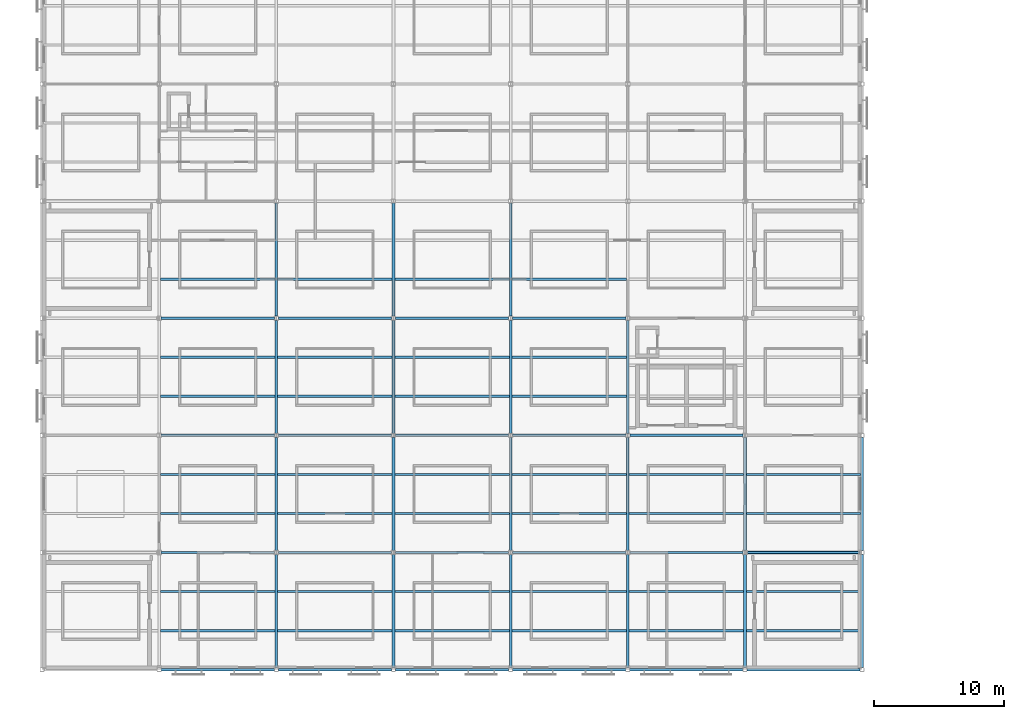
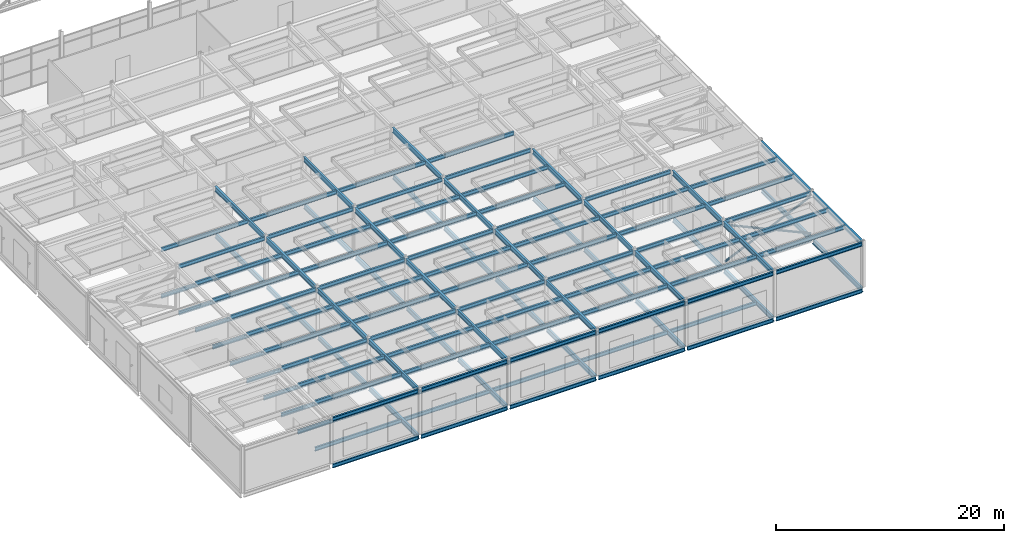
# One storey, part 23 of 115: 150 beams, 2 members.
"""IFC4 building model written with IfcOpenShell, lengths in metres."""

from ifc_helpers import new_model, si_unit, direction, frame, origin, origin_2d, place, context, subcontext, project, spatial, hollow_circle, i_section, extrude, material, material_profile, profile_set, type_object, element, save


model = new_model("IFC4")

# Units and contexts
model_context = context("Model", 3, precision=1e-05, world=origin(), true_north=direction((0.0, 1.0)))
body_context = subcontext(model_context, "Body", "Model", "MODEL_VIEW")
ifc_project = project(units=[si_unit("LENGTHUNIT", "METRE"), si_unit("AREAUNIT", "SQUARE_METRE"), si_unit("VOLUMEUNIT", "CUBIC_METRE"), si_unit("PLANEANGLEUNIT", "RADIAN"), si_unit("MASSUNIT", "GRAM", prefix="KILO")], contexts=[model_context])

# Site, building, storey
site_placement = place(None, origin())
site = spatial("IfcSite", under=ifc_project, at=site_placement, CompositionType="ELEMENT")
building_placement = place(site_placement, origin())
building = spatial("IfcBuilding", under=site, at=building_placement, Name="Shorebreak Coast Museum", CompositionType="ELEMENT")
storey_placement = place(building_placement, frame((0.0, 0.0, 11.0)))
storey = spatial("IfcBuildingStorey", under=building, at=storey_placement, Name="L02", CompositionType="ELEMENT", Elevation=11.0)

# Beams
ifc_material_1 = material(Name="Steel Grade 300", Category="steel")
ifc_material_profile_1 = material_profile(ifc_material_1, i_section(OverallWidth=0.177978515625, OverallDepth=0.406494140625, WebThickness=0.0078125, FlangeThickness=0.0126953125, FilletRadius=0.011474609375, at=origin_2d()), Name="410UB59.7")
ifc_profile_set_1 = profile_set([ifc_material_profile_1], Name="Steel Grade 300")
beam_type_1 = type_object("IfcBeamType", Name="Floor girder east-west 410UB59.7", PredefinedType="BEAM", material=ifc_profile_set_1)
for number, where, z_axis, x_axis, name in (
    (1, (63.14990234375, 0.0, -0.378173828125), (1.0, 0.0, 0.0), (0.0, 1.0, 0.0), "Floor girder east-west L02 8A"),
    (2, (72.14990234375, 0.0, -0.378173828125), (1.0, 0.0, 0.0), (0.0, 1.0, 0.0), "Floor girder east-west L02 9A"),
    (3, (81.14990234375, 0.0, -0.378173828125), (1.0, 0.0, 0.0), (0.0, 1.0, 0.0), "Floor girder east-west L02 10A"),
    (4, (90.14990234375, 0.0, -0.378173828125), (1.0, 0.0, 0.0), (0.0, 1.0, 0.0), "Floor girder east-west L02 11A"),
    (5, (99.14990234375, 0.0, -0.378173828125), (1.0, 0.0, 0.0), (0.0, 1.0, 0.0), "Floor girder east-west L02 12A"),
    (6, (108.14990234375, 0.0, -0.378173828125), (1.0, 0.0, 0.0), (0.0, 1.0, 0.0), "Floor girder east-west L02 13A"),
):
    element("IfcBeam", number, at=place(storey_placement, frame(where, z_axis=z_axis, x_axis=x_axis)), inside=storey, type_object=beam_type_1, Name=name, PredefinedType="BEAM", context=body_context, shape_type="SweptSolid", body=[
        extrude(i_section(OverallWidth=0.177978515625, OverallDepth=0.406494140625, WebThickness=0.0078125, FlangeThickness=0.0126953125, FilletRadius=0.011474609375, at=origin_2d()), origin(), (0.0, 0.0, 1.0), 8.7001953125),
    ])
for number, where, z_axis, x_axis, name in (
    (7, (63.154541015625, 9.0, -0.378173828125), (1.0, 0.0, 0.0), (0.0, 1.0, 0.0), "Floor girder east-west L02 8B"),
    (8, (72.154541015625, 9.0, -0.378173828125), (1.0, 0.0, 0.0), (0.0, 1.0, 0.0), "Floor girder east-west L02 9B"),
    (9, (81.154541015625, 9.0, -0.378173828125), (1.0, 0.0, 0.0), (0.0, 1.0, 0.0), "Floor girder east-west L02 10B"),
    (10, (90.154541015625, 9.0, -0.378173828125), (1.0, 0.0, 0.0), (0.0, 1.0, 0.0), "Floor girder east-west L02 11B"),
    (11, (99.154541015625, 9.0, -0.378173828125), (1.0, 0.0, 0.0), (0.0, 1.0, 0.0), "Floor girder east-west L02 12B"),
):
    element("IfcBeam", number, at=place(storey_placement, frame(where, z_axis=z_axis, x_axis=x_axis)), inside=storey, type_object=beam_type_1, Name=name, PredefinedType="BEAM", context=body_context, shape_type="SweptSolid", body=[
        extrude(i_section(OverallWidth=0.177978515625, OverallDepth=0.406494140625, WebThickness=0.0078125, FlangeThickness=0.0126953125, FilletRadius=0.011474609375, at=origin_2d()), origin(), (0.0, 0.0, 1.0), 8.69091796875),
    ])
beam_1_placement = place(storey_placement, frame((108.154541015625, 9.0, -0.378173828125), z_axis=(1.0, 0.0, 0.0), x_axis=(0.0, 1.0, 0.0)))
element("IfcBeam", 12, at=beam_1_placement, inside=storey, type_object=beam_type_1, Name="Floor girder east-west L02 13B", PredefinedType="BEAM", context=body_context, shape_type="SweptSolid", body=[
    extrude(i_section(OverallWidth=0.177978515625, OverallDepth=0.406494140625, WebThickness=0.0078125, FlangeThickness=0.0126953125, FilletRadius=0.011474609375, at=origin_2d()), origin(), (0.0, 0.0, 1.0), 8.695556640625),
])
for number, where, z_axis, x_axis, name in (
    (13, (63.154541015625, 18.0, -0.378173828125), (1.0, 0.0, 0.0), (0.0, 1.0, 0.0), "Floor girder east-west L02 8C"),
    (14, (72.154541015625, 18.0, -0.378173828125), (1.0, 0.0, 0.0), (0.0, 1.0, 0.0), "Floor girder east-west L02 9C"),
    (15, (81.154541015625, 18.0, -0.378173828125), (1.0, 0.0, 0.0), (0.0, 1.0, 0.0), "Floor girder east-west L02 10C"),
    (16, (90.154541015625, 18.0, -0.378173828125), (1.0, 0.0, 0.0), (0.0, 1.0, 0.0), "Floor girder east-west L02 11C"),
    (17, (99.154541015625, 18.0, -0.378173828125), (1.0, 0.0, 0.0), (0.0, 1.0, 0.0), "Floor girder east-west L02 12C"),
    (18, (63.154541015625, 27.0, -0.378173828125), (1.0, 0.0, 0.0), (0.0, 1.0, 0.0), "Floor girder east-west L02 8D"),
    (19, (72.154541015625, 27.0, -0.378173828125), (1.0, 0.0, 0.0), (0.0, 1.0, 0.0), "Floor girder east-west L02 9D"),
    (20, (81.154541015625, 27.0, -0.378173828125), (1.0, 0.0, 0.0), (0.0, 1.0, 0.0), "Floor girder east-west L02 10D"),
    (21, (90.154541015625, 27.0, -0.378173828125), (1.0, 0.0, 0.0), (0.0, 1.0, 0.0), "Floor girder east-west L02 11D"),
):
    element("IfcBeam", number, at=place(storey_placement, frame(where, z_axis=z_axis, x_axis=x_axis)), inside=storey, type_object=beam_type_1, Name=name, PredefinedType="BEAM", context=body_context, shape_type="SweptSolid", body=[
        extrude(i_section(OverallWidth=0.177978515625, OverallDepth=0.406494140625, WebThickness=0.0078125, FlangeThickness=0.0126953125, FilletRadius=0.011474609375, at=origin_2d()), origin(), (0.0, 0.0, 1.0), 8.69091796875),
    ])
ifc_material_2 = material(Name="Steel Grade 300", Category="steel")
ifc_material_profile_2 = material_profile(ifc_material_2, i_section(OverallWidth=0.208984375, OverallDepth=0.5283203125, WebThickness=0.009521484375, FlangeThickness=0.01318359375, FilletRadius=0.013916015625, at=origin_2d()), Name="530UB82.0")
ifc_profile_set_2 = profile_set([ifc_material_profile_2], Name="Steel Grade 300")
beam_type_2 = type_object("IfcBeamType", Name="Floor girder north-south 530UB82.0", PredefinedType="BEAM", material=ifc_profile_set_2)
for number, where, z_axis, x_axis, name in (
    (22, (72.0, 0.14990234375, -0.439208984375), (0.0, 1.0, 0.0), (-1.0, 0.0, 0.0), "Floor girder north-south L02 9A"),
    (23, (81.0, 0.14990234375, -0.439208984375), (0.0, 1.0, 0.0), (-1.0, 0.0, 0.0), "Floor girder north-south L02 10A"),
    (24, (90.0, 0.14990234375, -0.439208984375), (0.0, 1.0, 0.0), (-1.0, 0.0, 0.0), "Floor girder north-south L02 11A"),
    (25, (99.0, 0.14990234375, -0.439208984375), (0.0, 1.0, 0.0), (-1.0, 0.0, 0.0), "Floor girder north-south L02 12A"),
    (26, (108.0, 0.14990234375, -0.439208984375), (0.0, 1.0, 0.0), (-1.0, 0.0, 0.0), "Floor girder north-south L02 13A"),
):
    element("IfcBeam", number, at=place(storey_placement, frame(where, z_axis=z_axis, x_axis=x_axis)), inside=storey, type_object=beam_type_2, Name=name, PredefinedType="BEAM", context=body_context, shape_type="SweptSolid", body=[
        extrude(i_section(OverallWidth=0.208984375, OverallDepth=0.5283203125, WebThickness=0.009521484375, FlangeThickness=0.01318359375, FilletRadius=0.013916015625, at=origin_2d()), origin(), (0.0, 0.0, 1.0), 8.689697265625),
    ])
beam_2_placement = place(storey_placement, frame((117.0, 0.14990234375, -0.439208984375), z_axis=(0.0, 1.0, 0.0), x_axis=(-1.0, 0.0, 0.0)))
element("IfcBeam", 27, at=beam_2_placement, inside=storey, type_object=beam_type_2, Name="Floor girder north-south L02 14A", PredefinedType="BEAM", context=body_context, shape_type="SweptSolid", body=[
    extrude(i_section(OverallWidth=0.208984375, OverallDepth=0.5283203125, WebThickness=0.009521484375, FlangeThickness=0.01318359375, FilletRadius=0.013916015625, at=origin_2d()), origin(), (0.0, 0.0, 1.0), 8.7001953125),
])
for number, where, z_axis, x_axis, name in (
    (28, (72.0, 9.160400390625, -0.439208984375), (0.0, 1.0, 0.0), (-1.0, 0.0, 0.0), "Floor girder north-south L02 9B"),
    (29, (81.0, 9.160400390625, -0.439208984375), (0.0, 1.0, 0.0), (-1.0, 0.0, 0.0), "Floor girder north-south L02 10B"),
    (30, (90.0, 9.160400390625, -0.439208984375), (0.0, 1.0, 0.0), (-1.0, 0.0, 0.0), "Floor girder north-south L02 11B"),
    (31, (99.0, 9.160400390625, -0.439208984375), (0.0, 1.0, 0.0), (-1.0, 0.0, 0.0), "Floor girder north-south L02 12B"),
    (32, (108.0, 9.160400390625, -0.439208984375), (0.0, 1.0, 0.0), (-1.0, 0.0, 0.0), "Floor girder north-south L02 13B"),
):
    element("IfcBeam", number, at=place(storey_placement, frame(where, z_axis=z_axis, x_axis=x_axis)), inside=storey, type_object=beam_type_2, Name=name, PredefinedType="BEAM", context=body_context, shape_type="SweptSolid", body=[
        extrude(i_section(OverallWidth=0.208984375, OverallDepth=0.5283203125, WebThickness=0.009521484375, FlangeThickness=0.01318359375, FilletRadius=0.013916015625, at=origin_2d()), origin(), (0.0, 0.0, 1.0), 8.67919921875),
    ])
beam_3_placement = place(storey_placement, frame((117.0, 9.14990234375, -0.439208984375), z_axis=(0.0, 1.0, 0.0), x_axis=(-1.0, 0.0, 0.0)))
element("IfcBeam", 33, at=beam_3_placement, inside=storey, type_object=beam_type_2, Name="Floor girder north-south L02 14B", PredefinedType="BEAM", context=body_context, shape_type="SweptSolid", body=[
    extrude(i_section(OverallWidth=0.208984375, OverallDepth=0.5283203125, WebThickness=0.009521484375, FlangeThickness=0.01318359375, FilletRadius=0.013916015625, at=origin_2d()), origin(), (0.0, 0.0, 1.0), 8.7001953125),
])
for number, where, z_axis, x_axis, name in (
    (34, (72.0, 18.160400390625, -0.439208984375), (0.0, 1.0, 0.0), (-1.0, 0.0, 0.0), "Floor girder north-south L02 9C"),
    (35, (81.0, 18.160400390625, -0.439208984375), (0.0, 1.0, 0.0), (-1.0, 0.0, 0.0), "Floor girder north-south L02 10C"),
    (36, (90.0, 18.160400390625, -0.439208984375), (0.0, 1.0, 0.0), (-1.0, 0.0, 0.0), "Floor girder north-south L02 11C"),
    (37, (99.0, 18.160400390625, -0.439208984375), (0.0, 1.0, 0.0), (-1.0, 0.0, 0.0), "Floor girder north-south L02 12C"),
    (38, (72.0, 27.160400390625, -0.439208984375), (0.0, 1.0, 0.0), (-1.0, 0.0, 0.0), "Floor girder north-south L02 9D"),
    (39, (81.0, 27.160400390625, -0.439208984375), (0.0, 1.0, 0.0), (-1.0, 0.0, 0.0), "Floor girder north-south L02 10D"),
    (40, (90.0, 27.160400390625, -0.439208984375), (0.0, 1.0, 0.0), (-1.0, 0.0, 0.0), "Floor girder north-south L02 11D"),
):
    element("IfcBeam", number, at=place(storey_placement, frame(where, z_axis=z_axis, x_axis=x_axis)), inside=storey, type_object=beam_type_2, Name=name, PredefinedType="BEAM", context=body_context, shape_type="SweptSolid", body=[
        extrude(i_section(OverallWidth=0.208984375, OverallDepth=0.5283203125, WebThickness=0.009521484375, FlangeThickness=0.01318359375, FilletRadius=0.013916015625, at=origin_2d()), origin(), (0.0, 0.0, 1.0), 8.67919921875),
    ])
ifc_material_3 = material(Name="Steel Grade 300", Category="steel")
ifc_material_profile_3 = material_profile(ifc_material_3, i_section(OverallWidth=0.177978515625, OverallDepth=0.406494140625, WebThickness=0.0078125, FlangeThickness=0.0126953125, FilletRadius=0.011474609375, at=origin_2d()), Name="410UB59.7")
ifc_profile_set_3 = profile_set([ifc_material_profile_3], Name="Steel Grade 300")
beam_type_3 = type_object("IfcBeamType", Name="Floor joist 410UB59.7", PredefinedType="JOIST", material=ifc_profile_set_3)
for number, where, z_axis, x_axis, name in (
    (41, (63.1044921875, 3.0, -0.378173828125), (1.0, 0.0, 0.0), (0.0, 1.0, 0.0), "Floor joist L02 bay 8A at 3000 mm"),
    (42, (63.1044921875, 6.0, -0.378173828125), (1.0, 0.0, 0.0), (0.0, 1.0, 0.0), "Floor joist L02 bay 8A at 6000 mm"),
    (43, (72.1044921875, 3.0, -0.378173828125), (1.0, 0.0, 0.0), (0.0, 1.0, 0.0), "Floor joist L02 bay 9A at 3000 mm"),
    (44, (72.1044921875, 6.0, -0.378173828125), (1.0, 0.0, 0.0), (0.0, 1.0, 0.0), "Floor joist L02 bay 9A at 6000 mm"),
    (45, (81.1044921875, 3.0, -0.378173828125), (1.0, 0.0, 0.0), (0.0, 1.0, 0.0), "Floor joist L02 bay 10A at 3000 mm"),
    (46, (81.1044921875, 6.0, -0.378173828125), (1.0, 0.0, 0.0), (0.0, 1.0, 0.0), "Floor joist L02 bay 10A at 6000 mm"),
    (47, (90.1044921875, 3.0, -0.378173828125), (1.0, 0.0, 0.0), (0.0, 1.0, 0.0), "Floor joist L02 bay 11A at 3000 mm"),
    (48, (90.1044921875, 6.0, -0.378173828125), (1.0, 0.0, 0.0), (0.0, 1.0, 0.0), "Floor joist L02 bay 11A at 6000 mm"),
    (49, (99.1044921875, 3.0, -0.378173828125), (1.0, 0.0, 0.0), (0.0, 1.0, 0.0), "Floor joist L02 bay 12A at 3000 mm"),
    (50, (99.1044921875, 6.0, -0.378173828125), (1.0, 0.0, 0.0), (0.0, 1.0, 0.0), "Floor joist L02 bay 12A at 6000 mm"),
    (51, (63.1044921875, 12.0, -0.378173828125), (1.0, 0.0, 0.0), (0.0, 1.0, 0.0), "Floor joist L02 bay 8B at 3000 mm"),
    (52, (63.1044921875, 15.0, -0.378173828125), (1.0, 0.0, 0.0), (0.0, 1.0, 0.0), "Floor joist L02 bay 8B at 6000 mm"),
    (53, (72.1044921875, 12.0, -0.378173828125), (1.0, 0.0, 0.0), (0.0, 1.0, 0.0), "Floor joist L02 bay 9B at 3000 mm"),
    (54, (72.1044921875, 15.0, -0.378173828125), (1.0, 0.0, 0.0), (0.0, 1.0, 0.0), "Floor joist L02 bay 9B at 6000 mm"),
    (55, (81.1044921875, 12.0, -0.378173828125), (1.0, 0.0, 0.0), (0.0, 1.0, 0.0), "Floor joist L02 bay 10B at 3000 mm"),
    (56, (81.1044921875, 15.0, -0.378173828125), (1.0, 0.0, 0.0), (0.0, 1.0, 0.0), "Floor joist L02 bay 10B at 6000 mm"),
    (57, (90.1044921875, 12.0, -0.378173828125), (1.0, 0.0, 0.0), (0.0, 1.0, 0.0), "Floor joist L02 bay 11B at 3000 mm"),
    (58, (90.1044921875, 15.0, -0.378173828125), (1.0, 0.0, 0.0), (0.0, 1.0, 0.0), "Floor joist L02 bay 11B at 6000 mm"),
    (59, (99.1044921875, 12.0, -0.378173828125), (1.0, 0.0, 0.0), (0.0, 1.0, 0.0), "Floor joist L02 bay 12B at 3000 mm"),
    (60, (99.1044921875, 15.0, -0.378173828125), (1.0, 0.0, 0.0), (0.0, 1.0, 0.0), "Floor joist L02 bay 12B at 6000 mm"),
    (61, (108.1044921875, 12.0, -0.378173828125), (1.0, 0.0, 0.0), (0.0, 1.0, 0.0), "Floor joist L02 bay 13B at 3000 mm"),
    (62, (108.1044921875, 15.0, -0.378173828125), (1.0, 0.0, 0.0), (0.0, 1.0, 0.0), "Floor joist L02 bay 13B at 6000 mm"),
    (63, (63.1044921875, 21.0, -0.378173828125), (1.0, 0.0, 0.0), (0.0, 1.0, 0.0), "Floor joist L02 bay 8C at 3000 mm"),
    (64, (63.1044921875, 24.0, -0.378173828125), (1.0, 0.0, 0.0), (0.0, 1.0, 0.0), "Floor joist L02 bay 8C at 6000 mm"),
    (65, (72.1044921875, 21.0, -0.378173828125), (1.0, 0.0, 0.0), (0.0, 1.0, 0.0), "Floor joist L02 bay 9C at 3000 mm"),
    (66, (72.1044921875, 24.0, -0.378173828125), (1.0, 0.0, 0.0), (0.0, 1.0, 0.0), "Floor joist L02 bay 9C at 6000 mm"),
    (67, (81.1044921875, 21.0, -0.378173828125), (1.0, 0.0, 0.0), (0.0, 1.0, 0.0), "Floor joist L02 bay 10C at 3000 mm"),
    (68, (81.1044921875, 24.0, -0.378173828125), (1.0, 0.0, 0.0), (0.0, 1.0, 0.0), "Floor joist L02 bay 10C at 6000 mm"),
    (69, (90.1044921875, 21.0, -0.378173828125), (1.0, 0.0, 0.0), (0.0, 1.0, 0.0), "Floor joist L02 bay 11C at 3000 mm"),
    (70, (90.1044921875, 24.0, -0.378173828125), (1.0, 0.0, 0.0), (0.0, 1.0, 0.0), "Floor joist L02 bay 11C at 6000 mm"),
    (71, (63.1044921875, 30.0, -0.378173828125), (1.0, 0.0, 0.0), (0.0, 1.0, 0.0), "Floor joist L02 bay 8D at 3000 mm"),
    (72, (72.1044921875, 30.0, -0.378173828125), (1.0, 0.0, 0.0), (0.0, 1.0, 0.0), "Floor joist L02 bay 9D at 3000 mm"),
    (73, (81.1044921875, 30.0, -0.378173828125), (1.0, 0.0, 0.0), (0.0, 1.0, 0.0), "Floor joist L02 bay 10D at 3000 mm"),
    (74, (90.1044921875, 30.0, -0.378173828125), (1.0, 0.0, 0.0), (0.0, 1.0, 0.0), "Floor joist L02 bay 11D at 3000 mm"),
):
    element("IfcBeam", number, at=place(storey_placement, frame(where, z_axis=z_axis, x_axis=x_axis)), inside=storey, type_object=beam_type_3, Name=name, PredefinedType="JOIST", context=body_context, shape_type="SweptSolid", body=[
        extrude(i_section(OverallWidth=0.177978515625, OverallDepth=0.406494140625, WebThickness=0.0078125, FlangeThickness=0.0126953125, FilletRadius=0.011474609375, at=origin_2d()), origin(), (0.0, 0.0, 1.0), 8.791015625),
    ])
ifc_material_4 = material(Name="Steel Grade 300", Category="steel")
ifc_material_profile_4 = material_profile(ifc_material_4, i_section(OverallWidth=0.177978515625, OverallDepth=0.406494140625, WebThickness=0.0078125, FlangeThickness=0.0126953125, FilletRadius=0.011474609375, at=origin_2d()), Name="410UB59.7")
ifc_profile_set_4 = profile_set([ifc_material_profile_4], Name="Steel Grade 300")
beam_type_4 = type_object("IfcBeamType", Name="Roof deck girder east-west 410UB59.7", PredefinedType="BEAM", material=ifc_profile_set_4)
for number, where, z_axis, x_axis, name in (
    (75, (63.14990234375, 0.0, 4.621826171875), (1.0, 0.0, 0.0), (0.0, 1.0, 0.0), "Roof deck girder east-west L03 8A"),
    (76, (72.14990234375, 0.0, 4.621826171875), (1.0, 0.0, 0.0), (0.0, 1.0, 0.0), "Roof deck girder east-west L03 9A"),
    (77, (81.14990234375, 0.0, 4.621826171875), (1.0, 0.0, 0.0), (0.0, 1.0, 0.0), "Roof deck girder east-west L03 10A"),
    (78, (90.14990234375, 0.0, 4.621826171875), (1.0, 0.0, 0.0), (0.0, 1.0, 0.0), "Roof deck girder east-west L03 11A"),
    (79, (99.14990234375, 0.0, 4.621826171875), (1.0, 0.0, 0.0), (0.0, 1.0, 0.0), "Roof deck girder east-west L03 12A"),
    (80, (108.14990234375, 0.0, 4.621826171875), (1.0, 0.0, 0.0), (0.0, 1.0, 0.0), "Roof deck girder east-west L03 13A"),
):
    element("IfcBeam", number, at=place(storey_placement, frame(where, z_axis=z_axis, x_axis=x_axis)), inside=storey, type_object=beam_type_4, Name=name, PredefinedType="BEAM", context=body_context, shape_type="SweptSolid", body=[
        extrude(i_section(OverallWidth=0.177978515625, OverallDepth=0.406494140625, WebThickness=0.0078125, FlangeThickness=0.0126953125, FilletRadius=0.011474609375, at=origin_2d()), origin(), (0.0, 0.0, 1.0), 8.7001953125),
    ])
for number, where, z_axis, x_axis, name in (
    (81, (63.153564453125, 9.0, 4.621826171875), (1.0, 0.0, 0.0), (0.0, 1.0, 0.0), "Roof deck girder east-west L03 8B"),
    (82, (72.153564453125, 9.0, 4.621826171875), (1.0, 0.0, 0.0), (0.0, 1.0, 0.0), "Roof deck girder east-west L03 9B"),
    (83, (81.153564453125, 9.0, 4.621826171875), (1.0, 0.0, 0.0), (0.0, 1.0, 0.0), "Roof deck girder east-west L03 10B"),
    (84, (90.153564453125, 9.0, 4.621826171875), (1.0, 0.0, 0.0), (0.0, 1.0, 0.0), "Roof deck girder east-west L03 11B"),
    (85, (99.153564453125, 9.0, 4.621826171875), (1.0, 0.0, 0.0), (0.0, 1.0, 0.0), "Roof deck girder east-west L03 12B"),
):
    element("IfcBeam", number, at=place(storey_placement, frame(where, z_axis=z_axis, x_axis=x_axis)), inside=storey, type_object=beam_type_4, Name=name, PredefinedType="BEAM", context=body_context, shape_type="SweptSolid", body=[
        extrude(i_section(OverallWidth=0.177978515625, OverallDepth=0.406494140625, WebThickness=0.0078125, FlangeThickness=0.0126953125, FilletRadius=0.011474609375, at=origin_2d()), origin(), (0.0, 0.0, 1.0), 8.69287109375),
    ])
beam_4_placement = place(storey_placement, frame((108.153564453125, 9.0, 4.621826171875), z_axis=(1.0, 0.0, 0.0), x_axis=(0.0, 1.0, 0.0)))
element("IfcBeam", 86, at=beam_4_placement, inside=storey, type_object=beam_type_4, Name="Roof deck girder east-west L03 13B", PredefinedType="BEAM", context=body_context, shape_type="SweptSolid", body=[
    extrude(i_section(OverallWidth=0.177978515625, OverallDepth=0.406494140625, WebThickness=0.0078125, FlangeThickness=0.0126953125, FilletRadius=0.011474609375, at=origin_2d()), origin(), (0.0, 0.0, 1.0), 8.696533203125),
])
for number, where, z_axis, x_axis, name in (
    (87, (63.153564453125, 18.0, 4.621826171875), (1.0, 0.0, 0.0), (0.0, 1.0, 0.0), "Roof deck girder east-west L03 8C"),
    (88, (72.153564453125, 18.0, 4.621826171875), (1.0, 0.0, 0.0), (0.0, 1.0, 0.0), "Roof deck girder east-west L03 9C"),
    (89, (81.153564453125, 18.0, 4.621826171875), (1.0, 0.0, 0.0), (0.0, 1.0, 0.0), "Roof deck girder east-west L03 10C"),
    (90, (90.153564453125, 18.0, 4.621826171875), (1.0, 0.0, 0.0), (0.0, 1.0, 0.0), "Roof deck girder east-west L03 11C"),
    (91, (99.153564453125, 18.0, 4.621826171875), (1.0, 0.0, 0.0), (0.0, 1.0, 0.0), "Roof deck girder east-west L03 12C"),
    (92, (63.153564453125, 27.0, 4.621826171875), (1.0, 0.0, 0.0), (0.0, 1.0, 0.0), "Roof deck girder east-west L03 8D"),
    (93, (72.153564453125, 27.0, 4.621826171875), (1.0, 0.0, 0.0), (0.0, 1.0, 0.0), "Roof deck girder east-west L03 9D"),
    (94, (81.153564453125, 27.0, 4.621826171875), (1.0, 0.0, 0.0), (0.0, 1.0, 0.0), "Roof deck girder east-west L03 10D"),
    (95, (90.153564453125, 27.0, 4.621826171875), (1.0, 0.0, 0.0), (0.0, 1.0, 0.0), "Roof deck girder east-west L03 11D"),
):
    element("IfcBeam", number, at=place(storey_placement, frame(where, z_axis=z_axis, x_axis=x_axis)), inside=storey, type_object=beam_type_4, Name=name, PredefinedType="BEAM", context=body_context, shape_type="SweptSolid", body=[
        extrude(i_section(OverallWidth=0.177978515625, OverallDepth=0.406494140625, WebThickness=0.0078125, FlangeThickness=0.0126953125, FilletRadius=0.011474609375, at=origin_2d()), origin(), (0.0, 0.0, 1.0), 8.69287109375),
    ])
ifc_material_5 = material(Name="Steel Grade 300", Category="steel")
ifc_material_profile_5 = material_profile(ifc_material_5, i_section(OverallWidth=0.208984375, OverallDepth=0.5283203125, WebThickness=0.009521484375, FlangeThickness=0.01318359375, FilletRadius=0.013916015625, at=origin_2d()), Name="530UB82.0")
ifc_profile_set_5 = profile_set([ifc_material_profile_5], Name="Steel Grade 300")
beam_type_5 = type_object("IfcBeamType", Name="Roof deck girder north-south 530UB82.0", PredefinedType="BEAM", material=ifc_profile_set_5)
for number, where, z_axis, x_axis, name in (
    (96, (72.0, 0.14990234375, 4.560791015625), (0.0, 1.0, 0.0), (-1.0, 0.0, 0.0), "Roof deck girder north-south L03 9A"),
    (97, (81.0, 0.14990234375, 4.560791015625), (0.0, 1.0, 0.0), (-1.0, 0.0, 0.0), "Roof deck girder north-south L03 10A"),
    (98, (90.0, 0.14990234375, 4.560791015625), (0.0, 1.0, 0.0), (-1.0, 0.0, 0.0), "Roof deck girder north-south L03 11A"),
    (99, (99.0, 0.14990234375, 4.560791015625), (0.0, 1.0, 0.0), (-1.0, 0.0, 0.0), "Roof deck girder north-south L03 12A"),
    (100, (108.0, 0.14990234375, 4.560791015625), (0.0, 1.0, 0.0), (-1.0, 0.0, 0.0), "Roof deck girder north-south L03 13A"),
):
    element("IfcBeam", number, at=place(storey_placement, frame(where, z_axis=z_axis, x_axis=x_axis)), inside=storey, type_object=beam_type_5, Name=name, PredefinedType="BEAM", context=body_context, shape_type="SweptSolid", body=[
        extrude(i_section(OverallWidth=0.208984375, OverallDepth=0.5283203125, WebThickness=0.009521484375, FlangeThickness=0.01318359375, FilletRadius=0.013916015625, at=origin_2d()), origin(), (0.0, 0.0, 1.0), 8.69287109375),
    ])
beam_5_placement = place(storey_placement, frame((117.0, 0.14990234375, 4.560791015625), z_axis=(0.0, 1.0, 0.0), x_axis=(-1.0, 0.0, 0.0)))
element("IfcBeam", 101, at=beam_5_placement, inside=storey, type_object=beam_type_5, Name="Roof deck girder north-south L03 14A", PredefinedType="BEAM", context=body_context, shape_type="SweptSolid", body=[
    extrude(i_section(OverallWidth=0.208984375, OverallDepth=0.5283203125, WebThickness=0.009521484375, FlangeThickness=0.01318359375, FilletRadius=0.013916015625, at=origin_2d()), origin(), (0.0, 0.0, 1.0), 8.7001953125),
])
for number, where, z_axis, x_axis, name in (
    (102, (72.0, 9.1572265625, 4.560791015625), (0.0, 1.0, 0.0), (-1.0, 0.0, 0.0), "Roof deck girder north-south L03 9B"),
    (103, (81.0, 9.1572265625, 4.560791015625), (0.0, 1.0, 0.0), (-1.0, 0.0, 0.0), "Roof deck girder north-south L03 10B"),
    (104, (90.0, 9.1572265625, 4.560791015625), (0.0, 1.0, 0.0), (-1.0, 0.0, 0.0), "Roof deck girder north-south L03 11B"),
    (105, (99.0, 9.1572265625, 4.560791015625), (0.0, 1.0, 0.0), (-1.0, 0.0, 0.0), "Roof deck girder north-south L03 12B"),
    (106, (108.0, 9.1572265625, 4.560791015625), (0.0, 1.0, 0.0), (-1.0, 0.0, 0.0), "Roof deck girder north-south L03 13B"),
):
    element("IfcBeam", number, at=place(storey_placement, frame(where, z_axis=z_axis, x_axis=x_axis)), inside=storey, type_object=beam_type_5, Name=name, PredefinedType="BEAM", context=body_context, shape_type="SweptSolid", body=[
        extrude(i_section(OverallWidth=0.208984375, OverallDepth=0.5283203125, WebThickness=0.009521484375, FlangeThickness=0.01318359375, FilletRadius=0.013916015625, at=origin_2d()), origin(), (0.0, 0.0, 1.0), 8.685546875),
    ])
beam_6_placement = place(storey_placement, frame((117.0, 9.14990234375, 4.560791015625), z_axis=(0.0, 1.0, 0.0), x_axis=(-1.0, 0.0, 0.0)))
element("IfcBeam", 107, at=beam_6_placement, inside=storey, type_object=beam_type_5, Name="Roof deck girder north-south L03 14B", PredefinedType="BEAM", context=body_context, shape_type="SweptSolid", body=[
    extrude(i_section(OverallWidth=0.208984375, OverallDepth=0.5283203125, WebThickness=0.009521484375, FlangeThickness=0.01318359375, FilletRadius=0.013916015625, at=origin_2d()), origin(), (0.0, 0.0, 1.0), 8.7001953125),
])
for number, where, z_axis, x_axis, name in (
    (108, (72.0, 18.1572265625, 4.560791015625), (0.0, 1.0, 0.0), (-1.0, 0.0, 0.0), "Roof deck girder north-south L03 9C"),
    (109, (81.0, 18.1572265625, 4.560791015625), (0.0, 1.0, 0.0), (-1.0, 0.0, 0.0), "Roof deck girder north-south L03 10C"),
    (110, (90.0, 18.1572265625, 4.560791015625), (0.0, 1.0, 0.0), (-1.0, 0.0, 0.0), "Roof deck girder north-south L03 11C"),
    (111, (99.0, 18.1572265625, 4.560791015625), (0.0, 1.0, 0.0), (-1.0, 0.0, 0.0), "Roof deck girder north-south L03 12C"),
    (112, (72.0, 27.1572265625, 4.560791015625), (0.0, 1.0, 0.0), (-1.0, 0.0, 0.0), "Roof deck girder north-south L03 9D"),
    (113, (81.0, 27.1572265625, 4.560791015625), (0.0, 1.0, 0.0), (-1.0, 0.0, 0.0), "Roof deck girder north-south L03 10D"),
    (114, (90.0, 27.1572265625, 4.560791015625), (0.0, 1.0, 0.0), (-1.0, 0.0, 0.0), "Roof deck girder north-south L03 11D"),
):
    element("IfcBeam", number, at=place(storey_placement, frame(where, z_axis=z_axis, x_axis=x_axis)), inside=storey, type_object=beam_type_5, Name=name, PredefinedType="BEAM", context=body_context, shape_type="SweptSolid", body=[
        extrude(i_section(OverallWidth=0.208984375, OverallDepth=0.5283203125, WebThickness=0.009521484375, FlangeThickness=0.01318359375, FilletRadius=0.013916015625, at=origin_2d()), origin(), (0.0, 0.0, 1.0), 8.685546875),
    ])
ifc_material_6 = material(Name="Steel Grade 300", Category="steel")
ifc_material_profile_6 = material_profile(ifc_material_6, i_section(OverallWidth=0.177978515625, OverallDepth=0.402587890625, WebThickness=0.007568359375, FlangeThickness=0.010986328125, FilletRadius=0.011474609375, at=origin_2d()), Name="410UB53.7")
ifc_profile_set_6 = profile_set([ifc_material_profile_6], Name="Steel Grade 300")
beam_type_6 = type_object("IfcBeamType", Name="Roof deck joist 410UB53.7", PredefinedType="JOIST", material=ifc_profile_set_6)
for number, where, z_axis, x_axis, name in (
    (115, (63.1044921875, 3.0, 4.623779296875), (1.0, 0.0, 0.0), (0.0, 1.0, 0.0), "Roof deck joist L03 bay 8A at 3000 mm"),
    (116, (63.1044921875, 6.0, 4.623779296875), (1.0, 0.0, 0.0), (0.0, 1.0, 0.0), "Roof deck joist L03 bay 8A at 6000 mm"),
    (117, (72.1044921875, 3.0, 4.623779296875), (1.0, 0.0, 0.0), (0.0, 1.0, 0.0), "Roof deck joist L03 bay 9A at 3000 mm"),
    (118, (72.1044921875, 6.0, 4.623779296875), (1.0, 0.0, 0.0), (0.0, 1.0, 0.0), "Roof deck joist L03 bay 9A at 6000 mm"),
    (119, (81.1044921875, 3.0, 4.623779296875), (1.0, 0.0, 0.0), (0.0, 1.0, 0.0), "Roof deck joist L03 bay 10A at 3000 mm"),
    (120, (81.1044921875, 6.0, 4.623779296875), (1.0, 0.0, 0.0), (0.0, 1.0, 0.0), "Roof deck joist L03 bay 10A at 6000 mm"),
    (121, (90.1044921875, 3.0, 4.623779296875), (1.0, 0.0, 0.0), (0.0, 1.0, 0.0), "Roof deck joist L03 bay 11A at 3000 mm"),
    (122, (90.1044921875, 6.0, 4.623779296875), (1.0, 0.0, 0.0), (0.0, 1.0, 0.0), "Roof deck joist L03 bay 11A at 6000 mm"),
    (123, (99.1044921875, 3.0, 4.623779296875), (1.0, 0.0, 0.0), (0.0, 1.0, 0.0), "Roof deck joist L03 bay 12A at 3000 mm"),
    (124, (99.1044921875, 6.0, 4.623779296875), (1.0, 0.0, 0.0), (0.0, 1.0, 0.0), "Roof deck joist L03 bay 12A at 6000 mm"),
    (125, (108.1044921875, 3.0, 4.623779296875), (1.0, 0.0, 0.0), (0.0, 1.0, 0.0), "Roof deck joist L03 bay 13A at 3000 mm"),
    (126, (108.1044921875, 6.0, 4.623779296875), (1.0, 0.0, 0.0), (0.0, 1.0, 0.0), "Roof deck joist L03 bay 13A at 6000 mm"),
    (127, (63.1044921875, 12.0, 4.623779296875), (1.0, 0.0, 0.0), (0.0, 1.0, 0.0), "Roof deck joist L03 bay 8B at 3000 mm"),
    (128, (63.1044921875, 15.0, 4.623779296875), (1.0, 0.0, 0.0), (0.0, 1.0, 0.0), "Roof deck joist L03 bay 8B at 6000 mm"),
    (129, (72.1044921875, 12.0, 4.623779296875), (1.0, 0.0, 0.0), (0.0, 1.0, 0.0), "Roof deck joist L03 bay 9B at 3000 mm"),
    (130, (72.1044921875, 15.0, 4.623779296875), (1.0, 0.0, 0.0), (0.0, 1.0, 0.0), "Roof deck joist L03 bay 9B at 6000 mm"),
    (131, (81.1044921875, 12.0, 4.623779296875), (1.0, 0.0, 0.0), (0.0, 1.0, 0.0), "Roof deck joist L03 bay 10B at 3000 mm"),
    (132, (81.1044921875, 15.0, 4.623779296875), (1.0, 0.0, 0.0), (0.0, 1.0, 0.0), "Roof deck joist L03 bay 10B at 6000 mm"),
    (133, (90.1044921875, 12.0, 4.623779296875), (1.0, 0.0, 0.0), (0.0, 1.0, 0.0), "Roof deck joist L03 bay 11B at 3000 mm"),
    (134, (90.1044921875, 15.0, 4.623779296875), (1.0, 0.0, 0.0), (0.0, 1.0, 0.0), "Roof deck joist L03 bay 11B at 6000 mm"),
    (135, (99.1044921875, 12.0, 4.623779296875), (1.0, 0.0, 0.0), (0.0, 1.0, 0.0), "Roof deck joist L03 bay 12B at 3000 mm"),
    (136, (99.1044921875, 15.0, 4.623779296875), (1.0, 0.0, 0.0), (0.0, 1.0, 0.0), "Roof deck joist L03 bay 12B at 6000 mm"),
    (137, (108.1044921875, 12.0, 4.623779296875), (1.0, 0.0, 0.0), (0.0, 1.0, 0.0), "Roof deck joist L03 bay 13B at 3000 mm"),
    (138, (108.1044921875, 15.0, 4.623779296875), (1.0, 0.0, 0.0), (0.0, 1.0, 0.0), "Roof deck joist L03 bay 13B at 6000 mm"),
    (139, (63.1044921875, 21.0, 4.623779296875), (1.0, 0.0, 0.0), (0.0, 1.0, 0.0), "Roof deck joist L03 bay 8C at 3000 mm"),
    (140, (63.1044921875, 24.0, 4.623779296875), (1.0, 0.0, 0.0), (0.0, 1.0, 0.0), "Roof deck joist L03 bay 8C at 6000 mm"),
    (141, (72.1044921875, 21.0, 4.623779296875), (1.0, 0.0, 0.0), (0.0, 1.0, 0.0), "Roof deck joist L03 bay 9C at 3000 mm"),
    (142, (72.1044921875, 24.0, 4.623779296875), (1.0, 0.0, 0.0), (0.0, 1.0, 0.0), "Roof deck joist L03 bay 9C at 6000 mm"),
    (143, (81.1044921875, 21.0, 4.623779296875), (1.0, 0.0, 0.0), (0.0, 1.0, 0.0), "Roof deck joist L03 bay 10C at 3000 mm"),
    (144, (81.1044921875, 24.0, 4.623779296875), (1.0, 0.0, 0.0), (0.0, 1.0, 0.0), "Roof deck joist L03 bay 10C at 6000 mm"),
    (145, (90.1044921875, 21.0, 4.623779296875), (1.0, 0.0, 0.0), (0.0, 1.0, 0.0), "Roof deck joist L03 bay 11C at 3000 mm"),
    (146, (90.1044921875, 24.0, 4.623779296875), (1.0, 0.0, 0.0), (0.0, 1.0, 0.0), "Roof deck joist L03 bay 11C at 6000 mm"),
    (147, (63.1044921875, 30.0, 4.623779296875), (1.0, 0.0, 0.0), (0.0, 1.0, 0.0), "Roof deck joist L03 bay 8D at 3000 mm"),
    (148, (72.1044921875, 30.0, 4.623779296875), (1.0, 0.0, 0.0), (0.0, 1.0, 0.0), "Roof deck joist L03 bay 9D at 3000 mm"),
    (149, (81.1044921875, 30.0, 4.623779296875), (1.0, 0.0, 0.0), (0.0, 1.0, 0.0), "Roof deck joist L03 bay 10D at 3000 mm"),
    (150, (90.1044921875, 30.0, 4.623779296875), (1.0, 0.0, 0.0), (0.0, 1.0, 0.0), "Roof deck joist L03 bay 11D at 3000 mm"),
):
    element("IfcBeam", number, at=place(storey_placement, frame(where, z_axis=z_axis, x_axis=x_axis)), inside=storey, type_object=beam_type_6, Name=name, PredefinedType="JOIST", context=body_context, shape_type="SweptSolid", body=[
        extrude(i_section(OverallWidth=0.177978515625, OverallDepth=0.402587890625, WebThickness=0.007568359375, FlangeThickness=0.010986328125, FilletRadius=0.011474609375, at=origin_2d()), origin(), (0.0, 0.0, 1.0), 8.791015625),
    ])

# Members
ifc_material_7 = material(Name="Steel Grade C350L0", Category="steel")
ifc_material_profile_7 = material_profile(ifc_material_7, hollow_circle(Radius=0.109619140625, WallThickness=0.00830078125, at=origin_2d()), Name="219.1x8.2 CHS")
ifc_profile_set_7 = profile_set([ifc_material_profile_7], Name="Steel Grade C350L0")
member_type = type_object("IfcMemberType", Name="X-brace 219.1x8.2 CHS", PredefinedType="BRACE", material=ifc_profile_set_7)
for number, where, z_axis, x_axis, name in (
    (151, (108.153564453125, 9.0, 0.300048828125), (0.90950233373, 0.0, 0.415698815178), (0.0, 1.0, 0.0), "X-brace bay 14 L02 diagonal 1"),
    (152, (116.85009765625, 9.0, 0.300048828125), (-0.90950233373, 0.0, 0.415698815178), (0.0, -1.0, 0.0), "X-brace bay 14 L02 diagonal 2"),
):
    element("IfcMember", number, at=place(storey_placement, frame(where, z_axis=z_axis, x_axis=x_axis)), inside=storey, type_object=member_type, Name=name, PredefinedType="BRACE", context=body_context, shape_type="SweptSolid", body=[
        extrude(hollow_circle(Radius=0.109619140625, WallThickness=0.00830078125, at=origin_2d()), origin(), (0.0, 0.0, 1.0), 9.561767578125),
    ])

save(model, "model.ifc")
